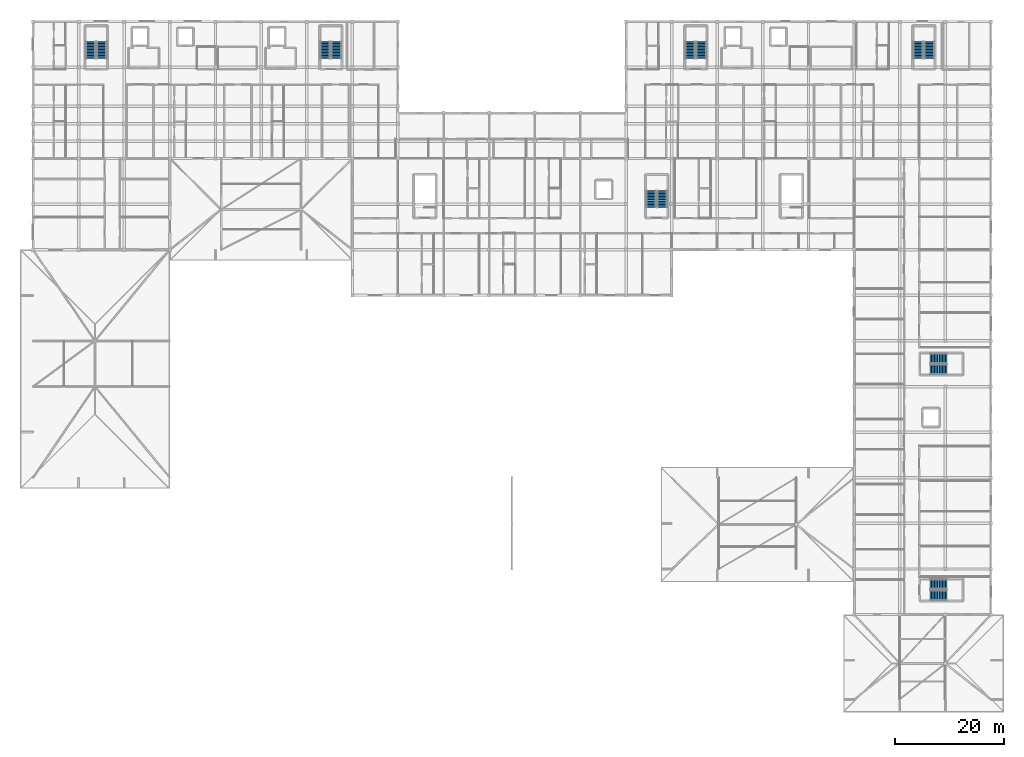
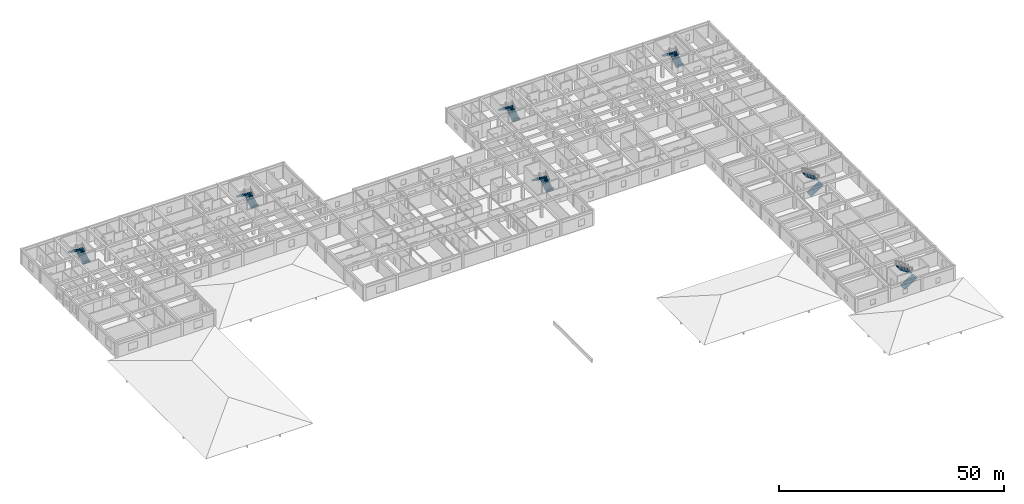
# One storey, part 31 of 42: 14 stair flights, 7 elements without a shape of their own.
"""IFC4 building model written with IfcOpenShell, lengths in metres."""

import ifcopenshell
import ifcopenshell.guid

model = None  # the IFC model being written
_history = None  # IfcOwnerHistory: only IFC2X3 demands one
_inside = {}  # id of a spatial element -> (the spatial element, [elements in it])
_under = {}  # id of a project, library or spatial element -> (it, [spatial elements below it])
_declared = {}  # id of a project -> (the project, [libraries it declares])
_typed = {}  # id of a type object -> (the type object, [elements of that type])
_made_of = {}  # id of a material, layer set ... -> (it, [elements and type objects made of it])


def new_model(schema):
    """Start an empty IFC model of exactly this schema.

    Asked for "IFC4X3", IfcOpenShell would pick the latest addendum, in which some entities
    have other attributes; the version numbers below select the first issue.
    IFC2X3 requires an IfcOwnerHistory on every rooted entity: one is made here for all.
    """
    global model, _history
    if schema == "IFC4X3":
        model = ifcopenshell.file(schema_version=(4, 3, 0, 0))
    else:
        model = ifcopenshell.file(schema=schema)
    _inside.clear()
    _under.clear()
    _declared.clear()
    _typed.clear()
    _made_of.clear()
    _history = None
    if model.schema == "IFC2X3":
        org = make("IfcOrganization", Name="unknown")
        user = make(
            "IfcPersonAndOrganization",
            ThePerson=make("IfcPerson", FamilyName="unknown"),
            TheOrganization=org,
        )
        app = make(
            "IfcApplication",
            ApplicationDeveloper=org,
            Version="unknown",
            ApplicationFullName="unknown",
            ApplicationIdentifier="unknown",
        )
        _history = make(
            "IfcOwnerHistory",
            OwningUser=user,
            OwningApplication=app,
            ChangeAction="ADDED",
            CreationDate=0,
        )
    return model


def make(cls, **values):
    """One entity of the class cls with the attributes given. An attribute that is None is left unset."""
    return model.create_entity(
        cls, **{name: value for name, value in values.items() if value is not None}
    )


def rooted(cls, **values):
    """An entity with a GlobalId (a new one), such as an element, a storey or a relation."""
    return make(cls, GlobalId=ifcopenshell.guid.new(), OwnerHistory=_history, **values)


def si_unit(unit_type, name, prefix=None):
    """IfcSIUnit, for example si_unit("LENGTHUNIT", "METRE", prefix="MILLI")."""
    return make("IfcSIUnit", UnitType=unit_type, Prefix=prefix, Name=name)


def assignment(units):
    """IfcUnitAssignment: the units of a project."""
    return None if units is None else make("IfcUnitAssignment", Units=units)


def point(xyz):
    """IfcCartesianPoint."""
    return None if xyz is None else make("IfcCartesianPoint", Coordinates=xyz)


def direction(xyz):
    """IfcDirection."""
    return None if xyz is None else make("IfcDirection", DirectionRatios=xyz)


def frame(location, z_axis=None, x_axis=None):
    """IfcAxis2Placement3D, a coordinate frame: its origin and axes. An axis left out is left unset."""
    return make(
        "IfcAxis2Placement3D",
        Location=point(location),
        Axis=direction(z_axis),
        RefDirection=direction(x_axis),
    )


def origin():
    """The frame at (0, 0, 0) with its axes left unset."""
    return frame((0.0, 0.0, 0.0))


def place(relative_to, where):
    """IfcLocalPlacement: puts the frame where relative to a parent placement (None: the world)."""
    return make(
        "IfcLocalPlacement", PlacementRelTo=relative_to, RelativePlacement=where
    )


def context(
    kind, dimensions, precision=None, world=None, true_north=None, identifier=None
):
    """IfcGeometricRepresentationContext, for example the 3D "Model" context."""
    return make(
        "IfcGeometricRepresentationContext",
        ContextIdentifier=identifier,
        ContextType=kind,
        CoordinateSpaceDimension=dimensions,
        Precision=precision,
        WorldCoordinateSystem=world,
        TrueNorth=true_north,
    )


def subcontext(parent, identifier, kind, view, scale=None):
    """IfcGeometricRepresentationSubContext, for example "Body" below "Model"."""
    return make(
        "IfcGeometricRepresentationSubContext",
        ContextIdentifier=identifier,
        ContextType=kind,
        ParentContext=parent,
        TargetScale=scale,
        TargetView=view,
    )


def project(units=None, contexts=None):
    """IfcProject with its units and contexts."""
    return rooted(
        "IfcProject",
        Name="project",
        RepresentationContexts=contexts,
        UnitsInContext=assignment(units),
    )


def spatial(cls, under=None, at=None, **own):
    """A site, building, storey or space (cls), placed at a placement, below another one or the project."""
    s = rooted(cls, ObjectPlacement=at, **own)
    if under is not None:
        _under.setdefault(under.id(), (under, []))[1].append(s)
    return s


def polyline(points):
    """IfcPolyline through the points."""
    return make("IfcPolyline", Points=[point(p) for p in points])


def outline(outer, holes=None, kind="AREA"):
    """IfcArbitraryClosedProfileDef: a profile drawn as a closed curve; with holes, ...WithVoids."""
    if holes is None:
        return make("IfcArbitraryClosedProfileDef", ProfileType=kind, OuterCurve=outer)
    return make(
        "IfcArbitraryProfileDefWithVoids",
        ProfileType=kind,
        OuterCurve=outer,
        InnerCurves=holes,
    )


def extrude(swept, where, along, depth):
    """IfcExtrudedAreaSolid: the profile swept, set in the frame where, extruded along a direction by depth."""
    return make(
        "IfcExtrudedAreaSolid",
        SweptArea=swept,
        Position=where,
        ExtrudedDirection=direction(along),
        Depth=depth,
    )


def shape(context_of_items, identifier, shape_type, items):
    """IfcShapeRepresentation: the items that make up one representation, for example the "Body"."""
    return make(
        "IfcShapeRepresentation",
        ContextOfItems=context_of_items,
        RepresentationIdentifier=identifier,
        RepresentationType=shape_type,
        Items=items,
    )


def material(Name=None, Category=None):
    """IfcMaterial."""
    return make("IfcMaterial", Name=Name, Category=Category)


def made_of(thing, what):
    """Note that an element or type object is made of a material, layer set ...; save() writes the relation."""
    if what is not None:
        _made_of.setdefault(what.id(), (what, []))[1].append(thing)
    return thing


def type_object(cls, material=None, **own):
    """A type object (cls), such as IfcWallType, which elements share."""
    return made_of(rooted(cls, **own), material)


def element(
    cls,
    number,
    at=None,
    inside=None,
    cuts=None,
    type_object=None,
    material=None,
    context=None,
    identifier="Body",
    shape_type=None,
    held_by="IfcProductDefinitionShape",
    body=None,
    shapes=None,
    **own,
):
    """One element of the class cls, such as IfcWall. Its Tag is "e" and its number.

    at: its placement. inside: the storey or other place that contains it. cuts: it is an
    opening in that element (IfcRelVoidsElement). A single representation is given by context,
    identifier, shape_type and body (its items); several are given by shapes. held_by: the class
    of the entity that holds the representations. save() writes the other relations.
    """
    e = rooted(cls, Tag="e%d" % number, ObjectPlacement=at, **own)
    if body is not None:
        shapes = [shape(context, identifier, shape_type, body)]
    if shapes is not None:
        e.Representation = make(held_by, Representations=shapes)
    if inside is not None:
        _inside.setdefault(inside.id(), (inside, []))[1].append(e)
    if cuts is not None:
        rooted(
            "IfcRelVoidsElement", RelatingBuildingElement=cuts, RelatedOpeningElement=e
        )
    if type_object is not None:
        _typed.setdefault(type_object.id(), (type_object, []))[1].append(e)
    return made_of(e, material)


def aggregate(whole, parts):
    """IfcRelAggregates: a whole, such as a stair, and the parts it consists of."""
    return rooted("IfcRelAggregates", RelatingObject=whole, RelatedObjects=parts)


def save(model, path):
    """Write the relations noted so far, then the file.

    IfcRelAggregates (storeys below a building ...), IfcRelContainedInSpatialStructure (elements
    in a storey), IfcRelDefinesByType, IfcRelAssociatesMaterial and IfcRelDeclares: one each for
    every whole, place, type object, material and project.
    """
    for whole, parts in _under.values():
        aggregate(whole, parts)
    for where, things in _inside.values():
        rooted(
            "IfcRelContainedInSpatialStructure",
            RelatedElements=things,
            RelatingStructure=where,
        )
    for kind, things in _typed.values():
        rooted("IfcRelDefinesByType", RelatedObjects=things, RelatingType=kind)
    for what, things in _made_of.values():
        rooted("IfcRelAssociatesMaterial", RelatedObjects=things, RelatingMaterial=what)
    for by, libraries in _declared.values():
        rooted("IfcRelDeclares", RelatingContext=by, RelatedDefinitions=libraries)
    model.write(path)


model = new_model("IFC4")

# Units and contexts
model_context = context("Model", 3, precision=1e-05, world=origin(), true_north=direction((0.0, 1.0)))
body_context = subcontext(model_context, "Body", "Model", "MODEL_VIEW")
ifc_project = project(units=[si_unit("LENGTHUNIT", "METRE"), si_unit("AREAUNIT", "SQUARE_METRE"), si_unit("VOLUMEUNIT", "CUBIC_METRE"), si_unit("PLANEANGLEUNIT", "RADIAN"), si_unit("MASSUNIT", "GRAM", prefix="KILO")], contexts=[model_context])

# Site, building, storey
site_placement = place(None, origin())
site = spatial("IfcSite", under=ifc_project, at=site_placement, CompositionType="ELEMENT")
building_placement = place(site_placement, origin())
building = spatial("IfcBuilding", under=site, at=building_placement, Name="Varncliffe General Hospital", CompositionType="ELEMENT")
storey_placement = place(building_placement, frame((0.0, 0.0, 20.39990234375)))
storey = spatial("IfcBuildingStorey", under=building, at=storey_placement, Name="L04", CompositionType="ELEMENT", Elevation=20.39990234375)

# Stair, stair flights
ifc_material = material(Name="Concrete C35/45 (CSA A23.1 35 MPa)", Category="concrete")
stair_type = type_object("IfcStairType", Name="Hospital Stair Assembly ST-T03 (1850w-4200h)", PredefinedType="TWO_STRAIGHT_RUN_STAIR", material=ifc_material)
stair_1_placement = place(storey_placement, origin())
stair_1 = element("IfcStair", 1, at=stair_1_placement, inside=storey, type_object=stair_type, Name="L04 North-West Ward Exit Stair 1", PredefinedType="TWO_STRAIGHT_RUN_STAIR")
stair_flight_type = type_object("IfcStairFlightType", Name="Hospital Stair Flight FL-T03 (1850w-4200h)", PredefinedType="STRAIGHT", material=ifc_material)
stair_flight_1_placement = place(storey_placement, frame((12.675048828125, 118.0, 0.0), z_axis=(0.0, 0.0, 1.0), x_axis=(0.0, 1.0, 0.0)))
stair_flight_1 = element("IfcStairFlight", 2, at=stair_flight_1_placement, type_object=stair_flight_type, Name="ST01 flight 1", NumberOfRisers=12, NumberOfTreads=11, PredefinedType="STRAIGHT", RiserHeight=0.175, TreadLength=0.28, context=body_context, shape_type="SweptSolid", body=[
    extrude(outline(polyline([(-0.02490234375, -0.14990234375), (-0.02490234375, 0.0), (0.0, 0.0), (0.0, 0.175048828125), (0.280029296875, 0.175048828125), (0.280029296875, 0.35009765625), (0.56005859375, 0.35009765625), (0.56005859375, 0.52490234375), (0.840087890625, 0.52490234375), (0.840087890625, 0.699951171875), (1.1201171875, 0.699951171875), (1.1201171875, 0.875), (1.39990234375, 0.875), (1.39990234375, 1.050048828125), (1.679931640625, 1.050048828125), (1.679931640625, 1.22509765625), (1.9599609375, 1.22509765625), (1.9599609375, 1.39990234375), (2.239990234375, 1.39990234375), (2.239990234375, 1.574951171875), (2.52001953125, 1.574951171875), (2.52001953125, 1.75), (2.800048828125, 1.75), (2.800048828125, 1.925048828125), (3.080078125, 1.925048828125), (3.080078125, 2.10009765625), (3.10498046875, 2.10009765625), (3.10498046875, 1.9501953125), (3.080078125, 1.748291015625), (0.28271484375, -0.14990234375), (-0.02490234375, -0.14990234375)])), frame((0.0, 0.925048828125, 0.0), z_axis=(0.0, -1.0, 0.0), x_axis=(1.0, 0.0, 0.0)), (0.0, 0.0, 1.0), 1.85009765625),
])
stair_flight_2_placement = place(storey_placement, frame((10.625, 121.080078125, 2.10009765625), z_axis=(0.0, 0.0, 1.0), x_axis=(0.0, -1.0, 0.0)))
stair_flight_2 = element("IfcStairFlight", 3, at=stair_flight_2_placement, type_object=stair_flight_type, Name="ST01 flight 2", NumberOfRisers=12, NumberOfTreads=11, PredefinedType="STRAIGHT", RiserHeight=0.175, TreadLength=0.28, context=body_context, shape_type="SweptSolid", body=[
    extrude(outline(polyline([(-0.02490234375, -0.14990234375), (-0.02490234375, 0.0), (0.0, 0.0), (0.0, 0.175048828125), (0.280029296875, 0.175048828125), (0.280029296875, 0.35009765625), (0.56005859375, 0.35009765625), (0.56005859375, 0.52490234375), (0.840087890625, 0.52490234375), (0.840087890625, 0.699951171875), (1.1201171875, 0.699951171875), (1.1201171875, 0.875), (1.39990234375, 0.875), (1.39990234375, 1.050048828125), (1.679931640625, 1.050048828125), (1.679931640625, 1.22509765625), (1.9599609375, 1.22509765625), (1.9599609375, 1.39990234375), (2.239990234375, 1.39990234375), (2.239990234375, 1.574951171875), (2.52001953125, 1.574951171875), (2.52001953125, 1.75), (2.800048828125, 1.75), (2.800048828125, 1.925048828125), (3.080078125, 1.925048828125), (3.080078125, 2.10009765625), (3.10498046875, 2.10009765625), (3.10498046875, 1.9501953125), (3.080078125, 1.748291015625), (0.28271484375, -0.14990234375), (-0.02490234375, -0.14990234375)])), frame((0.0, 0.925048828125, 0.0), z_axis=(0.0, -1.0, 0.0), x_axis=(1.0, 0.0, 0.0)), (0.0, 0.0, 1.0), 1.85009765625),
])
aggregate(stair_1, [stair_flight_1, stair_flight_2])

stair_2_placement = place(storey_placement, origin())
stair_2 = element("IfcStair", 4, at=stair_2_placement, inside=storey, type_object=stair_type, Name="L04 North-West Ward Exit Stair 2", PredefinedType="TWO_STRAIGHT_RUN_STAIR")
stair_flight_3_placement = place(storey_placement, frame((55.875, 118.0, 0.0), z_axis=(0.0, 0.0, 1.0), x_axis=(0.0, 1.0, 0.0)))
stair_flight_3 = element("IfcStairFlight", 5, at=stair_flight_3_placement, type_object=stair_flight_type, Name="ST02 flight 1", NumberOfRisers=12, NumberOfTreads=11, PredefinedType="STRAIGHT", RiserHeight=0.175, TreadLength=0.28, context=body_context, shape_type="SweptSolid", body=[
    extrude(outline(polyline([(-0.02490234375, -0.14990234375), (-0.02490234375, 0.0), (0.0, 0.0), (0.0, 0.175048828125), (0.280029296875, 0.175048828125), (0.280029296875, 0.35009765625), (0.56005859375, 0.35009765625), (0.56005859375, 0.52490234375), (0.840087890625, 0.52490234375), (0.840087890625, 0.699951171875), (1.1201171875, 0.699951171875), (1.1201171875, 0.875), (1.39990234375, 0.875), (1.39990234375, 1.050048828125), (1.679931640625, 1.050048828125), (1.679931640625, 1.22509765625), (1.9599609375, 1.22509765625), (1.9599609375, 1.39990234375), (2.239990234375, 1.39990234375), (2.239990234375, 1.574951171875), (2.52001953125, 1.574951171875), (2.52001953125, 1.75), (2.800048828125, 1.75), (2.800048828125, 1.925048828125), (3.080078125, 1.925048828125), (3.080078125, 2.10009765625), (3.10498046875, 2.10009765625), (3.10498046875, 1.9501953125), (3.080078125, 1.748291015625), (0.28271484375, -0.14990234375), (-0.02490234375, -0.14990234375)])), frame((0.0, 0.925048828125, 0.0), z_axis=(0.0, -1.0, 0.0), x_axis=(1.0, 0.0, 0.0)), (0.0, 0.0, 1.0), 1.85009765625),
])
stair_flight_4_placement = place(storey_placement, frame((53.824951171875, 121.080078125, 2.10009765625), z_axis=(0.0, 0.0, 1.0), x_axis=(0.0, -1.0, 0.0)))
stair_flight_4 = element("IfcStairFlight", 6, at=stair_flight_4_placement, type_object=stair_flight_type, Name="ST02 flight 2", NumberOfRisers=12, NumberOfTreads=11, PredefinedType="STRAIGHT", RiserHeight=0.175, TreadLength=0.28, context=body_context, shape_type="SweptSolid", body=[
    extrude(outline(polyline([(-0.02490234375, -0.14990234375), (-0.02490234375, 0.0), (0.0, 0.0), (0.0, 0.175048828125), (0.280029296875, 0.175048828125), (0.280029296875, 0.35009765625), (0.56005859375, 0.35009765625), (0.56005859375, 0.52490234375), (0.840087890625, 0.52490234375), (0.840087890625, 0.699951171875), (1.1201171875, 0.699951171875), (1.1201171875, 0.875), (1.39990234375, 0.875), (1.39990234375, 1.050048828125), (1.679931640625, 1.050048828125), (1.679931640625, 1.22509765625), (1.9599609375, 1.22509765625), (1.9599609375, 1.39990234375), (2.239990234375, 1.39990234375), (2.239990234375, 1.574951171875), (2.52001953125, 1.574951171875), (2.52001953125, 1.75), (2.800048828125, 1.75), (2.800048828125, 1.925048828125), (3.080078125, 1.925048828125), (3.080078125, 2.10009765625), (3.10498046875, 2.10009765625), (3.10498046875, 1.9501953125), (3.080078125, 1.748291015625), (0.28271484375, -0.14990234375), (-0.02490234375, -0.14990234375)])), frame((0.0, 0.925048828125, 0.0), z_axis=(0.0, -1.0, 0.0), x_axis=(1.0, 0.0, 0.0)), (0.0, 0.0, 1.0), 1.85009765625),
])
aggregate(stair_2, [stair_flight_3, stair_flight_4])

stair_3_placement = place(storey_placement, origin())
stair_3 = element("IfcStair", 7, at=stair_3_placement, inside=storey, type_object=stair_type, Name="L04 North-East Ward Exit Stair 3", PredefinedType="TWO_STRAIGHT_RUN_STAIR")
stair_flight_5_placement = place(storey_placement, frame((123.074951171875, 118.0, 0.0), z_axis=(0.0, 0.0, 1.0), x_axis=(0.0, 1.0, 0.0)))
stair_flight_5 = element("IfcStairFlight", 8, at=stair_flight_5_placement, type_object=stair_flight_type, Name="ST03 flight 1", NumberOfRisers=12, NumberOfTreads=11, PredefinedType="STRAIGHT", RiserHeight=0.175, TreadLength=0.28, context=body_context, shape_type="SweptSolid", body=[
    extrude(outline(polyline([(-0.02490234375, -0.14990234375), (-0.02490234375, 0.0), (0.0, 0.0), (0.0, 0.175048828125), (0.280029296875, 0.175048828125), (0.280029296875, 0.35009765625), (0.56005859375, 0.35009765625), (0.56005859375, 0.52490234375), (0.840087890625, 0.52490234375), (0.840087890625, 0.699951171875), (1.1201171875, 0.699951171875), (1.1201171875, 0.875), (1.39990234375, 0.875), (1.39990234375, 1.050048828125), (1.679931640625, 1.050048828125), (1.679931640625, 1.22509765625), (1.9599609375, 1.22509765625), (1.9599609375, 1.39990234375), (2.239990234375, 1.39990234375), (2.239990234375, 1.574951171875), (2.52001953125, 1.574951171875), (2.52001953125, 1.75), (2.800048828125, 1.75), (2.800048828125, 1.925048828125), (3.080078125, 1.925048828125), (3.080078125, 2.10009765625), (3.10498046875, 2.10009765625), (3.10498046875, 1.9501953125), (3.080078125, 1.748291015625), (0.28271484375, -0.14990234375), (-0.02490234375, -0.14990234375)])), frame((0.0, 0.925048828125, 0.0), z_axis=(0.0, -1.0, 0.0), x_axis=(1.0, 0.0, 0.0)), (0.0, 0.0, 1.0), 1.85009765625),
])
stair_flight_6_placement = place(storey_placement, frame((121.02490234375, 121.080078125, 2.10009765625), z_axis=(0.0, 0.0, 1.0), x_axis=(0.0, -1.0, 0.0)))
stair_flight_6 = element("IfcStairFlight", 9, at=stair_flight_6_placement, type_object=stair_flight_type, Name="ST03 flight 2", NumberOfRisers=12, NumberOfTreads=11, PredefinedType="STRAIGHT", RiserHeight=0.175, TreadLength=0.28, context=body_context, shape_type="SweptSolid", body=[
    extrude(outline(polyline([(-0.02490234375, -0.14990234375), (-0.02490234375, 0.0), (0.0, 0.0), (0.0, 0.175048828125), (0.280029296875, 0.175048828125), (0.280029296875, 0.35009765625), (0.56005859375, 0.35009765625), (0.56005859375, 0.52490234375), (0.840087890625, 0.52490234375), (0.840087890625, 0.699951171875), (1.1201171875, 0.699951171875), (1.1201171875, 0.875), (1.39990234375, 0.875), (1.39990234375, 1.050048828125), (1.679931640625, 1.050048828125), (1.679931640625, 1.22509765625), (1.9599609375, 1.22509765625), (1.9599609375, 1.39990234375), (2.239990234375, 1.39990234375), (2.239990234375, 1.574951171875), (2.52001953125, 1.574951171875), (2.52001953125, 1.75), (2.800048828125, 1.75), (2.800048828125, 1.925048828125), (3.080078125, 1.925048828125), (3.080078125, 2.10009765625), (3.10498046875, 2.10009765625), (3.10498046875, 1.9501953125), (3.080078125, 1.748291015625), (0.28271484375, -0.14990234375), (-0.02490234375, -0.14990234375)])), frame((0.0, 0.925048828125, 0.0), z_axis=(0.0, -1.0, 0.0), x_axis=(1.0, 0.0, 0.0)), (0.0, 0.0, 1.0), 1.85009765625),
])
aggregate(stair_3, [stair_flight_5, stair_flight_6])

stair_4_placement = place(storey_placement, origin())
stair_4 = element("IfcStair", 10, at=stair_4_placement, inside=storey, type_object=stair_type, Name="L04 North-East Ward Exit Stair 4", PredefinedType="TWO_STRAIGHT_RUN_STAIR")
stair_flight_7_placement = place(storey_placement, frame((165.074951171875, 118.0, 0.0), z_axis=(0.0, 0.0, 1.0), x_axis=(0.0, 1.0, 0.0)))
stair_flight_7 = element("IfcStairFlight", 11, at=stair_flight_7_placement, type_object=stair_flight_type, Name="ST04 flight 1", NumberOfRisers=12, NumberOfTreads=11, PredefinedType="STRAIGHT", RiserHeight=0.175, TreadLength=0.28, context=body_context, shape_type="SweptSolid", body=[
    extrude(outline(polyline([(-0.02490234375, -0.14990234375), (-0.02490234375, 0.0), (0.0, 0.0), (0.0, 0.175048828125), (0.280029296875, 0.175048828125), (0.280029296875, 0.35009765625), (0.56005859375, 0.35009765625), (0.56005859375, 0.52490234375), (0.840087890625, 0.52490234375), (0.840087890625, 0.699951171875), (1.1201171875, 0.699951171875), (1.1201171875, 0.875), (1.39990234375, 0.875), (1.39990234375, 1.050048828125), (1.679931640625, 1.050048828125), (1.679931640625, 1.22509765625), (1.9599609375, 1.22509765625), (1.9599609375, 1.39990234375), (2.239990234375, 1.39990234375), (2.239990234375, 1.574951171875), (2.52001953125, 1.574951171875), (2.52001953125, 1.75), (2.800048828125, 1.75), (2.800048828125, 1.925048828125), (3.080078125, 1.925048828125), (3.080078125, 2.10009765625), (3.10498046875, 2.10009765625), (3.10498046875, 1.9501953125), (3.080078125, 1.748291015625), (0.28271484375, -0.14990234375), (-0.02490234375, -0.14990234375)])), frame((0.0, 0.925048828125, 0.0), z_axis=(0.0, -1.0, 0.0), x_axis=(1.0, 0.0, 0.0)), (0.0, 0.0, 1.0), 1.85009765625),
])
stair_flight_8_placement = place(storey_placement, frame((163.02490234375, 121.080078125, 2.10009765625), z_axis=(0.0, 0.0, 1.0), x_axis=(0.0, -1.0, 0.0)))
stair_flight_8 = element("IfcStairFlight", 12, at=stair_flight_8_placement, type_object=stair_flight_type, Name="ST04 flight 2", NumberOfRisers=12, NumberOfTreads=11, PredefinedType="STRAIGHT", RiserHeight=0.175, TreadLength=0.28, context=body_context, shape_type="SweptSolid", body=[
    extrude(outline(polyline([(-0.02490234375, -0.14990234375), (-0.02490234375, 0.0), (0.0, 0.0), (0.0, 0.175048828125), (0.280029296875, 0.175048828125), (0.280029296875, 0.35009765625), (0.56005859375, 0.35009765625), (0.56005859375, 0.52490234375), (0.840087890625, 0.52490234375), (0.840087890625, 0.699951171875), (1.1201171875, 0.699951171875), (1.1201171875, 0.875), (1.39990234375, 0.875), (1.39990234375, 1.050048828125), (1.679931640625, 1.050048828125), (1.679931640625, 1.22509765625), (1.9599609375, 1.22509765625), (1.9599609375, 1.39990234375), (2.239990234375, 1.39990234375), (2.239990234375, 1.574951171875), (2.52001953125, 1.574951171875), (2.52001953125, 1.75), (2.800048828125, 1.75), (2.800048828125, 1.925048828125), (3.080078125, 1.925048828125), (3.080078125, 2.10009765625), (3.10498046875, 2.10009765625), (3.10498046875, 1.9501953125), (3.080078125, 1.748291015625), (0.28271484375, -0.14990234375), (-0.02490234375, -0.14990234375)])), frame((0.0, 0.925048828125, 0.0), z_axis=(0.0, -1.0, 0.0), x_axis=(1.0, 0.0, 0.0)), (0.0, 0.0, 1.0), 1.85009765625),
])
aggregate(stair_4, [stair_flight_7, stair_flight_8])

stair_5_placement = place(storey_placement, origin())
stair_5 = element("IfcStair", 13, at=stair_5_placement, inside=storey, type_object=stair_type, Name="L04 Surgical and Helipad Exit Stair 6", PredefinedType="TWO_STRAIGHT_RUN_STAIR")
stair_flight_9_placement = place(storey_placement, frame((115.875, 90.60009765625, 0.0), z_axis=(0.0, 0.0, 1.0), x_axis=(0.0, 1.0, 0.0)))
stair_flight_9 = element("IfcStairFlight", 14, at=stair_flight_9_placement, type_object=stair_flight_type, Name="ST06 flight 1", NumberOfRisers=12, NumberOfTreads=11, PredefinedType="STRAIGHT", RiserHeight=0.175, TreadLength=0.28, context=body_context, shape_type="SweptSolid", body=[
    extrude(outline(polyline([(-0.02490234375, -0.14990234375), (-0.02490234375, 0.0), (0.0, 0.0), (0.0, 0.175048828125), (0.280029296875, 0.175048828125), (0.280029296875, 0.35009765625), (0.56005859375, 0.35009765625), (0.56005859375, 0.52490234375), (0.840087890625, 0.52490234375), (0.840087890625, 0.699951171875), (1.1201171875, 0.699951171875), (1.1201171875, 0.875), (1.39990234375, 0.875), (1.39990234375, 1.050048828125), (1.679931640625, 1.050048828125), (1.679931640625, 1.22509765625), (1.9599609375, 1.22509765625), (1.9599609375, 1.39990234375), (2.239990234375, 1.39990234375), (2.239990234375, 1.574951171875), (2.52001953125, 1.574951171875), (2.52001953125, 1.75), (2.800048828125, 1.75), (2.800048828125, 1.925048828125), (3.080078125, 1.925048828125), (3.080078125, 2.10009765625), (3.10498046875, 2.10009765625), (3.10498046875, 1.9501953125), (3.080078125, 1.748291015625), (0.28271484375, -0.14990234375), (-0.02490234375, -0.14990234375)])), frame((0.0, 0.925048828125, 0.0), z_axis=(0.0, -1.0, 0.0), x_axis=(1.0, 0.0, 0.0)), (0.0, 0.0, 1.0), 1.85009765625),
])
stair_flight_10_placement = place(storey_placement, frame((113.824951171875, 93.679931640625, 2.10009765625), z_axis=(0.0, 0.0, 1.0), x_axis=(0.0, -1.0, 0.0)))
stair_flight_10 = element("IfcStairFlight", 15, at=stair_flight_10_placement, type_object=stair_flight_type, Name="ST06 flight 2", NumberOfRisers=12, NumberOfTreads=11, PredefinedType="STRAIGHT", RiserHeight=0.175, TreadLength=0.28, context=body_context, shape_type="SweptSolid", body=[
    extrude(outline(polyline([(-0.02490234375, -0.14990234375), (-0.02490234375, 0.0), (0.0, 0.0), (0.0, 0.175048828125), (0.280029296875, 0.175048828125), (0.280029296875, 0.35009765625), (0.56005859375, 0.35009765625), (0.56005859375, 0.52490234375), (0.840087890625, 0.52490234375), (0.840087890625, 0.699951171875), (1.1201171875, 0.699951171875), (1.1201171875, 0.875), (1.39990234375, 0.875), (1.39990234375, 1.050048828125), (1.679931640625, 1.050048828125), (1.679931640625, 1.22509765625), (1.9599609375, 1.22509765625), (1.9599609375, 1.39990234375), (2.239990234375, 1.39990234375), (2.239990234375, 1.574951171875), (2.52001953125, 1.574951171875), (2.52001953125, 1.75), (2.800048828125, 1.75), (2.800048828125, 1.925048828125), (3.080078125, 1.925048828125), (3.080078125, 2.10009765625), (3.10498046875, 2.10009765625), (3.10498046875, 1.9501953125), (3.080078125, 1.748291015625), (0.28271484375, -0.14990234375), (-0.02490234375, -0.14990234375)])), frame((0.0, 0.925048828125, 0.0), z_axis=(0.0, -1.0, 0.0), x_axis=(1.0, 0.0, 0.0)), (0.0, 0.0, 1.0), 1.85009765625),
])
aggregate(stair_5, [stair_flight_9, stair_flight_10])

stair_6_placement = place(storey_placement, origin())
stair_6 = element("IfcStair", 16, at=stair_6_placement, inside=storey, type_object=stair_type, Name="L04 Outpatient East Exit Stair 7", PredefinedType="TWO_STRAIGHT_RUN_STAIR")
stair_flight_11_placement = place(storey_placement, frame((165.199951171875, 60.72509765625, 0.0), z_axis=(0.0, 0.0, 1.0), x_axis=(1.0, 0.0, 0.0)))
stair_flight_11 = element("IfcStairFlight", 17, at=stair_flight_11_placement, type_object=stair_flight_type, Name="ST07 flight 1", NumberOfRisers=12, NumberOfTreads=11, PredefinedType="STRAIGHT", RiserHeight=0.175, TreadLength=0.28, context=body_context, shape_type="SweptSolid", body=[
    extrude(outline(polyline([(-0.02490234375, -0.14990234375), (-0.02490234375, 0.0), (0.0, 0.0), (0.0, 0.175048828125), (0.280029296875, 0.175048828125), (0.280029296875, 0.35009765625), (0.56005859375, 0.35009765625), (0.56005859375, 0.52490234375), (0.840087890625, 0.52490234375), (0.840087890625, 0.699951171875), (1.1201171875, 0.699951171875), (1.1201171875, 0.875), (1.39990234375, 0.875), (1.39990234375, 1.050048828125), (1.679931640625, 1.050048828125), (1.679931640625, 1.22509765625), (1.9599609375, 1.22509765625), (1.9599609375, 1.39990234375), (2.239990234375, 1.39990234375), (2.239990234375, 1.574951171875), (2.52001953125, 1.574951171875), (2.52001953125, 1.75), (2.800048828125, 1.75), (2.800048828125, 1.925048828125), (3.080078125, 1.925048828125), (3.080078125, 2.10009765625), (3.10498046875, 2.10009765625), (3.10498046875, 1.9501953125), (3.080078125, 1.748291015625), (0.28271484375, -0.14990234375), (-0.02490234375, -0.14990234375)])), frame((0.0, 0.925048828125, 0.0), z_axis=(0.0, -1.0, 0.0), x_axis=(1.0, 0.0, 0.0)), (0.0, 0.0, 1.0), 1.85009765625),
])
stair_flight_12_placement = place(storey_placement, frame((168.280029296875, 62.77490234375, 2.10009765625), z_axis=(0.0, 0.0, 1.0), x_axis=(-1.0, 0.0, 0.0)))
stair_flight_12 = element("IfcStairFlight", 18, at=stair_flight_12_placement, type_object=stair_flight_type, Name="ST07 flight 2", NumberOfRisers=12, NumberOfTreads=11, PredefinedType="STRAIGHT", RiserHeight=0.175, TreadLength=0.28, context=body_context, shape_type="SweptSolid", body=[
    extrude(outline(polyline([(-0.02490234375, -0.14990234375), (-0.02490234375, 0.0), (0.0, 0.0), (0.0, 0.175048828125), (0.280029296875, 0.175048828125), (0.280029296875, 0.35009765625), (0.56005859375, 0.35009765625), (0.56005859375, 0.52490234375), (0.840087890625, 0.52490234375), (0.840087890625, 0.699951171875), (1.1201171875, 0.699951171875), (1.1201171875, 0.875), (1.39990234375, 0.875), (1.39990234375, 1.050048828125), (1.679931640625, 1.050048828125), (1.679931640625, 1.22509765625), (1.9599609375, 1.22509765625), (1.9599609375, 1.39990234375), (2.239990234375, 1.39990234375), (2.239990234375, 1.574951171875), (2.52001953125, 1.574951171875), (2.52001953125, 1.75), (2.800048828125, 1.75), (2.800048828125, 1.925048828125), (3.080078125, 1.925048828125), (3.080078125, 2.10009765625), (3.10498046875, 2.10009765625), (3.10498046875, 1.9501953125), (3.080078125, 1.748291015625), (0.28271484375, -0.14990234375), (-0.02490234375, -0.14990234375)])), frame((0.0, 0.925048828125, 0.0), z_axis=(0.0, -1.0, 0.0), x_axis=(1.0, 0.0, 0.0)), (0.0, 0.0, 1.0), 1.85009765625),
])
aggregate(stair_6, [stair_flight_11, stair_flight_12])

stair_7_placement = place(storey_placement, origin())
stair_7 = element("IfcStair", 19, at=stair_7_placement, inside=storey, type_object=stair_type, Name="L04 Outpatient South-East Exit Stair 11", PredefinedType="TWO_STRAIGHT_RUN_STAIR")
stair_flight_13_placement = place(storey_placement, frame((165.199951171875, 19.125, 0.0), z_axis=(0.0, 0.0, 1.0), x_axis=(1.0, 0.0, 0.0)))
stair_flight_13 = element("IfcStairFlight", 20, at=stair_flight_13_placement, type_object=stair_flight_type, Name="ST11 flight 1", NumberOfRisers=12, NumberOfTreads=11, PredefinedType="STRAIGHT", RiserHeight=0.175, TreadLength=0.28, context=body_context, shape_type="SweptSolid", body=[
    extrude(outline(polyline([(-0.02490234375, -0.14990234375), (-0.02490234375, 0.0), (0.0, 0.0), (0.0, 0.175048828125), (0.280029296875, 0.175048828125), (0.280029296875, 0.35009765625), (0.56005859375, 0.35009765625), (0.56005859375, 0.52490234375), (0.840087890625, 0.52490234375), (0.840087890625, 0.699951171875), (1.1201171875, 0.699951171875), (1.1201171875, 0.875), (1.39990234375, 0.875), (1.39990234375, 1.050048828125), (1.679931640625, 1.050048828125), (1.679931640625, 1.22509765625), (1.9599609375, 1.22509765625), (1.9599609375, 1.39990234375), (2.239990234375, 1.39990234375), (2.239990234375, 1.574951171875), (2.52001953125, 1.574951171875), (2.52001953125, 1.75), (2.800048828125, 1.75), (2.800048828125, 1.925048828125), (3.080078125, 1.925048828125), (3.080078125, 2.10009765625), (3.10498046875, 2.10009765625), (3.10498046875, 1.9501953125), (3.080078125, 1.748291015625), (0.28271484375, -0.14990234375), (-0.02490234375, -0.14990234375)])), frame((0.0, 0.925048828125, 0.0), z_axis=(0.0, -1.0, 0.0), x_axis=(1.0, 0.0, 0.0)), (0.0, 0.0, 1.0), 1.85009765625),
])
stair_flight_14_placement = place(storey_placement, frame((168.280029296875, 21.175048828125, 2.10009765625), z_axis=(0.0, 0.0, 1.0), x_axis=(-1.0, 0.0, 0.0)))
stair_flight_14 = element("IfcStairFlight", 21, at=stair_flight_14_placement, type_object=stair_flight_type, Name="ST11 flight 2", NumberOfRisers=12, NumberOfTreads=11, PredefinedType="STRAIGHT", RiserHeight=0.175, TreadLength=0.28, context=body_context, shape_type="SweptSolid", body=[
    extrude(outline(polyline([(-0.02490234375, -0.14990234375), (-0.02490234375, 0.0), (0.0, 0.0), (0.0, 0.175048828125), (0.280029296875, 0.175048828125), (0.280029296875, 0.35009765625), (0.56005859375, 0.35009765625), (0.56005859375, 0.52490234375), (0.840087890625, 0.52490234375), (0.840087890625, 0.699951171875), (1.1201171875, 0.699951171875), (1.1201171875, 0.875), (1.39990234375, 0.875), (1.39990234375, 1.050048828125), (1.679931640625, 1.050048828125), (1.679931640625, 1.22509765625), (1.9599609375, 1.22509765625), (1.9599609375, 1.39990234375), (2.239990234375, 1.39990234375), (2.239990234375, 1.574951171875), (2.52001953125, 1.574951171875), (2.52001953125, 1.75), (2.800048828125, 1.75), (2.800048828125, 1.925048828125), (3.080078125, 1.925048828125), (3.080078125, 2.10009765625), (3.10498046875, 2.10009765625), (3.10498046875, 1.9501953125), (3.080078125, 1.748291015625), (0.28271484375, -0.14990234375), (-0.02490234375, -0.14990234375)])), frame((0.0, 0.925048828125, 0.0), z_axis=(0.0, -1.0, 0.0), x_axis=(1.0, 0.0, 0.0)), (0.0, 0.0, 1.0), 1.85009765625),
])
aggregate(stair_7, [stair_flight_13, stair_flight_14])

save(model, "model.ifc")
